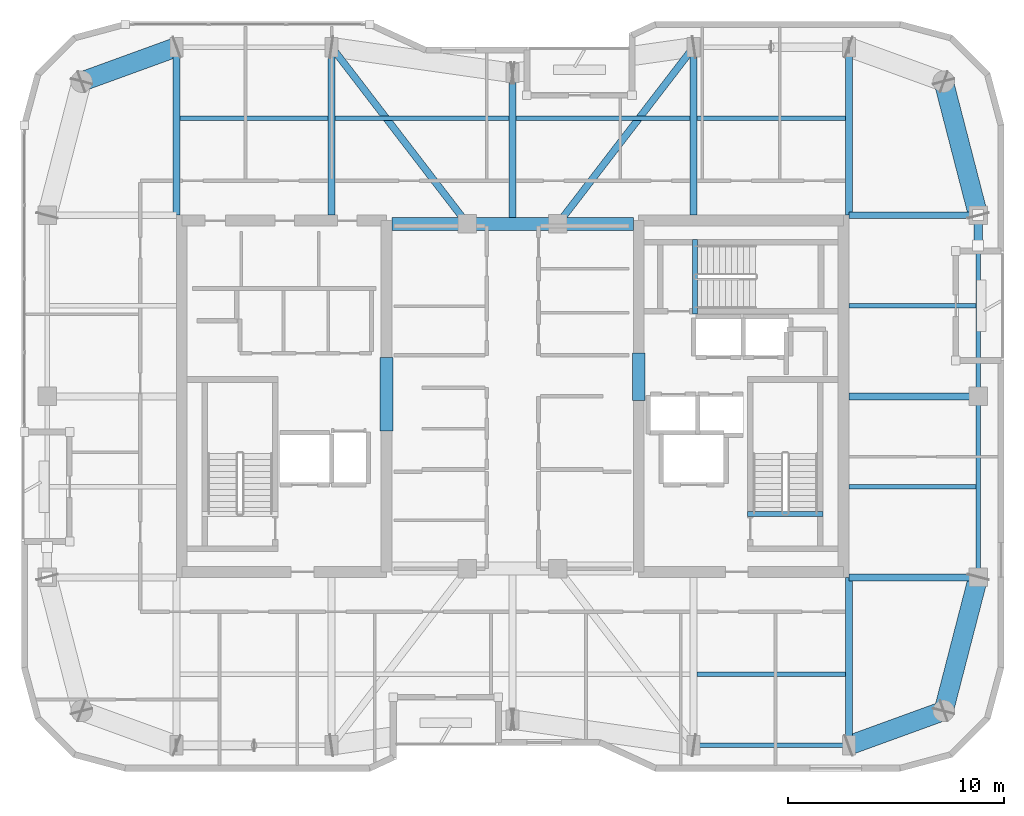
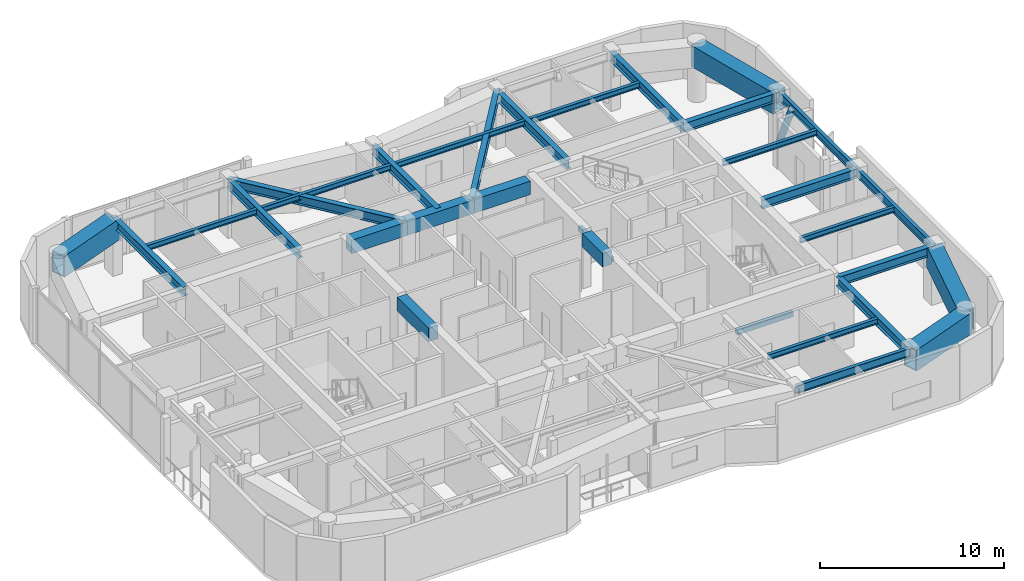
# One storey, part 5 of 16: 32 beams, 1 member.
"""IFC4 building model written with IfcOpenShell, lengths in metres."""

from ifc_helpers import new_model, si_unit, direction, frame, origin, origin_2d, place, context, subcontext, project, spatial, rectangle, hollow_rectangle, hollow_circle, i_section, extrude, material, material_profile, profile_set, type_object, element, save


model = new_model("IFC4")

# Units and contexts
model_context = context("Model", 3, precision=1e-05, world=origin(), true_north=direction((0.0, 1.0)))
body_context = subcontext(model_context, "Body", "Model", "MODEL_VIEW")
ifc_project = project(units=[si_unit("LENGTHUNIT", "METRE"), si_unit("AREAUNIT", "SQUARE_METRE"), si_unit("VOLUMEUNIT", "CUBIC_METRE"), si_unit("PLANEANGLEUNIT", "RADIAN"), si_unit("MASSUNIT", "GRAM", prefix="KILO")], contexts=[model_context])

# Site, building, storey
site_placement = place(None, origin())
site = spatial("IfcSite", under=ifc_project, at=site_placement, CompositionType="ELEMENT")
building_placement = place(site_placement, origin())
building = spatial("IfcBuilding", under=site, at=building_placement, Name="Kiyonajd Concourse Tower", CompositionType="ELEMENT")
storey_placement = place(building_placement, frame((0.0, 0.0, 302.39990234375)))
storey = spatial("IfcBuildingStorey", under=building, at=storey_placement, Name="L76", CompositionType="ELEMENT", Elevation=302.39990234375)

# Beams
ifc_material_1 = material(Name="Concrete C60/75", Category="concrete")
ifc_material_profile_1 = material_profile(ifc_material_1, rectangle(XDim=0.60009765625, YDim=0.89990234375, at=origin_2d()), Name="RCBM-600x900")
ifc_profile_set_1 = profile_set([ifc_material_profile_1], Name="Concrete C60/75")
beam_type_1 = type_object("IfcBeamType", Name="BM-COUP-900", PredefinedType="LINTEL", material=ifc_profile_set_1)
beam_1_placement = place(storey_placement, frame((42.39990234375, 44.0, 3.22998046875), z_axis=(1.0, 0.0, 0.0), x_axis=(0.0, 1.0, 0.0)))
element("IfcBeam", 1, at=beam_1_placement, inside=storey, type_object=beam_type_1, Name="L76 Core Coupling Beam N1", PredefinedType="LINTEL", context=body_context, shape_type="SweptSolid", body=[
    extrude(rectangle(XDim=0.60009765625, YDim=0.89990234375, at=origin_2d()), origin(), (0.0, 0.0, 1.0), 3.5),
])
beam_2_placement = place(storey_placement, frame((45.89990234375, 44.0, 3.22998046875), z_axis=(1.0, 0.0, 0.0), x_axis=(0.0, 1.0, 0.0)))
element("IfcBeam", 2, at=beam_2_placement, inside=storey, type_object=beam_type_1, Name="L76 Core Coupling Beam N2", PredefinedType="LINTEL", context=body_context, shape_type="SweptSolid", body=[
    extrude(rectangle(XDim=0.60009765625, YDim=0.89990234375, at=origin_2d()), origin(), (0.0, 0.0, 1.0), 4.2001953125),
])
beam_3_placement = place(storey_placement, frame((50.10009765625, 44.0, 3.22998046875), z_axis=(1.0, 0.0, 0.0), x_axis=(0.0, 1.0, 0.0)))
element("IfcBeam", 3, at=beam_3_placement, inside=storey, type_object=beam_type_1, Name="L76 Core Coupling Beam N3", PredefinedType="LINTEL", context=body_context, shape_type="SweptSolid", body=[
    extrude(rectangle(XDim=0.60009765625, YDim=0.89990234375, at=origin_2d()), origin(), (0.0, 0.0, 1.0), 3.5),
])
beam_4_placement = place(storey_placement, frame((42.14990234375, 34.39990234375, 3.22998046875), z_axis=(0.0, 1.0, 0.0), x_axis=(-1.0, 0.0, 0.0)))
element("IfcBeam", 4, at=beam_4_placement, inside=storey, type_object=beam_type_1, Name="L76 West Core Throat Coupling Lintel", PredefinedType="LINTEL", context=body_context, shape_type="SweptSolid", body=[
    extrude(rectangle(XDim=0.60009765625, YDim=0.89990234375, at=origin_2d()), origin(), (0.0, 0.0, 1.0), 3.400146484375),
])
beam_5_placement = place(storey_placement, frame((53.85009765625, 35.800048828125, 3.22998046875), z_axis=(0.0, 1.0, 0.0), x_axis=(-1.0, 0.0, 0.0)))
element("IfcBeam", 5, at=beam_5_placement, inside=storey, type_object=beam_type_1, Name="L76 East Core Throat Coupling Lintel", PredefinedType="LINTEL", context=body_context, shape_type="SweptSolid", body=[
    extrude(rectangle(XDim=0.60009765625, YDim=0.89990234375, at=origin_2d()), origin(), (0.0, 0.0, 1.0), 2.199951171875),
])
ifc_material_2 = material(Name="Steel ASTM A992 Grade 50", Category="steel")
ifc_material_profile_2 = material_profile(ifc_material_2, i_section(OverallWidth=0.205078125, OverallDepth=0.35400390625, WebThickness=0.009521484375, FlangeThickness=0.016845703125, at=origin_2d()), Name="W360X79")
ifc_profile_set_2 = profile_set([ifc_material_profile_2], Name="Steel ASTM A992 Grade 50")
beam_type_2 = type_object("IfcBeamType", Name="BM-JST-360", PredefinedType="JOIST", material=ifc_profile_set_2)
for number, where, z_axis, x_axis, name in (
    (6, (56.56201171875, 23.10009765625, 3.503173828125), (1.0, 0.0, 0.0), (0.0, 1.0, 0.0), "L76 Secondary Floor Joist"),
    (7, (32.56201171875, 48.89990234375, 3.503173828125), (1.0, 0.0, 0.0), (0.0, 1.0, 0.0), "L76 Secondary Floor Joist"),
):
    element("IfcBeam", number, at=place(storey_placement, frame(where, z_axis=z_axis, x_axis=x_axis)), inside=storey, type_object=beam_type_2, Name=name, PredefinedType="JOIST", context=body_context, shape_type="SweptSolid", body=[
        extrude(i_section(OverallWidth=0.205078125, OverallDepth=0.35400390625, WebThickness=0.009521484375, FlangeThickness=0.016845703125, at=origin_2d()), origin(), (0.0, 0.0, 1.0), 6.8759765625),
    ])
for number, where, z_axis, x_axis, name in (
    (8, (39.761962890625, 48.89990234375, 3.503173828125), (1.0, 0.0, 0.0), (0.0, 1.0, 0.0), "L76 Secondary Floor Joist"),
    (9, (48.162109375, 48.89990234375, 3.503173828125), (1.0, 0.0, 0.0), (0.0, 1.0, 0.0), "L76 Secondary Floor Joist"),
):
    element("IfcBeam", number, at=place(storey_placement, frame(where, z_axis=z_axis, x_axis=x_axis)), inside=storey, type_object=beam_type_2, Name=name, PredefinedType="JOIST", context=body_context, shape_type="SweptSolid", body=[
        extrude(i_section(OverallWidth=0.205078125, OverallDepth=0.35400390625, WebThickness=0.009521484375, FlangeThickness=0.016845703125, at=origin_2d()), origin(), (0.0, 0.0, 1.0), 8.075927734375),
    ])
beam_6_placement = place(storey_placement, frame((56.56201171875, 48.89990234375, 3.503173828125), z_axis=(1.0, 0.0, 0.0), x_axis=(0.0, 1.0, 0.0)))
element("IfcBeam", 10, at=beam_6_placement, inside=storey, type_object=beam_type_2, Name="L76 Secondary Floor Joist", PredefinedType="JOIST", context=body_context, shape_type="SweptSolid", body=[
    extrude(i_section(OverallWidth=0.205078125, OverallDepth=0.35400390625, WebThickness=0.009521484375, FlangeThickness=0.016845703125, at=origin_2d()), origin(), (0.0, 0.0, 1.0), 6.8759765625),
])
for number, where, z_axis, x_axis, name in (
    (11, (63.60009765625, 31.800048828125, 3.503173828125), (1.0, 0.0, 0.0), (0.0, 1.0, 0.0), "L76 East Secondary Floor Joist"),
    (12, (63.60009765625, 40.199951171875, 3.503173828125), (1.0, 0.0, 0.0), (0.0, 1.0, 0.0), "L76 East Secondary Floor Joist"),
):
    element("IfcBeam", number, at=place(storey_placement, frame(where, z_axis=z_axis, x_axis=x_axis)), inside=storey, type_object=beam_type_2, Name=name, PredefinedType="JOIST", context=body_context, shape_type="SweptSolid", body=[
        extrude(i_section(OverallWidth=0.205078125, OverallDepth=0.35400390625, WebThickness=0.009521484375, FlangeThickness=0.016845703125, at=origin_2d()), origin(), (0.0, 0.0, 1.0), 5.894287109375),
    ])
ifc_material_3 = material(Name="Concrete C50/60", Category="concrete")
ifc_material_profile_3 = material_profile(ifc_material_3, rectangle(XDim=0.239990234375, YDim=0.320068359375, at=origin_2d()), Name="RCBM-240x320")
ifc_profile_set_3 = profile_set([ifc_material_profile_3], Name="Concrete C50/60")
beam_type_3 = type_object("IfcBeamType", Name="BM-LNT-250", PredefinedType="LINTEL", material=ifc_profile_set_3)
beam_7_placement = place(storey_placement, frame((58.889892578125, 30.530029296875, -0.159912109375), z_axis=(1.0, 0.0, 0.0), x_axis=(0.0, 1.0, 0.0)))
element("IfcBeam", 13, at=beam_7_placement, inside=storey, type_object=beam_type_3, Name="L76 Stair ST2 Threshold Support Beam", PredefinedType="LINTEL", context=body_context, shape_type="SweptSolid", body=[
    extrude(rectangle(XDim=0.239990234375, YDim=0.320068359375, at=origin_2d()), origin(), (0.0, 0.0, 1.0), 3.52001953125),
])
beam_8_placement = place(storey_placement, frame((56.4599609375, 39.820068359375, -0.159912109375), z_axis=(0.0, 1.0, 0.0), x_axis=(-1.0, 0.0, 0.0)))
element("IfcBeam", 14, at=beam_8_placement, inside=storey, type_object=beam_type_3, Name="L76 Stair ST3 Threshold Support Beam", PredefinedType="LINTEL", context=body_context, shape_type="SweptSolid", body=[
    extrude(rectangle(XDim=0.239990234375, YDim=0.320068359375, at=origin_2d()), origin(), (0.0, 0.0, 1.0), 3.4599609375),
])
ifc_material_profile_4 = material_profile(ifc_material_2, i_section(OverallWidth=0.2109375, OverallDepth=0.5390625, WebThickness=0.01171875, FlangeThickness=0.018798828125, at=origin_2d()), Name="W530X109")
ifc_profile_set_4 = profile_set([ifc_material_profile_4], Name="Steel ASTM A992 Grade 50")
beam_type_4 = type_object("IfcBeamType", Name="BM-SPAN-530B", PredefinedType="SPANDREL", material=ifc_profile_set_4)
beam_9_placement = place(storey_placement, frame((56.39990234375, 19.800048828125, 3.41064453125), z_axis=(1.0, 0.0, 0.0), x_axis=(0.0, 1.0, 0.0)))
element("IfcBeam", 15, at=beam_9_placement, inside=storey, type_object=beam_type_4, Name="L76 Perimeter Bundled Tube Spandrel", PredefinedType="SPANDREL", context=body_context, shape_type="SweptSolid", body=[
    extrude(i_section(OverallWidth=0.2109375, OverallDepth=0.5390625, WebThickness=0.01171875, FlangeThickness=0.018798828125, at=origin_2d()), origin(), (0.0, 0.0, 1.0), 7.2001953125),
])
for number, where, z_axis, x_axis, name in (
    (16, (69.60009765625, 27.60009765625, 3.41064453125), (0.0, 1.0, 0.0), (-1.0, 0.0, 0.0), "L76 Perimeter Bundled Tube Spandrel"),
    (17, (69.60009765625, 36.0, 3.41064453125), (0.0, 1.0, 0.0), (-1.0, 0.0, 0.0), "L76 Perimeter Bundled Tube Spandrel"),
):
    element("IfcBeam", number, at=place(storey_placement, frame(where, z_axis=z_axis, x_axis=x_axis)), inside=storey, type_object=beam_type_4, Name=name, PredefinedType="SPANDREL", context=body_context, shape_type="SweptSolid", body=[
        extrude(i_section(OverallWidth=0.2109375, OverallDepth=0.5390625, WebThickness=0.01171875, FlangeThickness=0.018798828125, at=origin_2d()), origin(), (0.0, 0.0, 1.0), 8.39990234375),
    ])
ifc_material_profile_5 = material_profile(ifc_material_2, i_section(OverallWidth=0.326904296875, OverallDepth=0.6220703125, WebThickness=0.015380859375, FlangeThickness=0.0244140625, at=origin_2d()), Name="W610X195")
ifc_profile_set_5 = profile_set([ifc_material_profile_5], Name="Steel ASTM A992 Grade 50")
beam_type_5 = type_object("IfcBeamType", Name="BM-TWR-610A", PredefinedType="BEAM", material=ifc_profile_set_5)
for number, where, z_axis, x_axis, name in (
    (18, (39.60009765625, 52.199951171875, 3.369140625), (0.609233709922, -0.792990722956, 0.0), (0.792990722956, 0.609233709922, 0.0), "L76 Core Tie Girder"),
    (19, (50.10009765625, 44.0, 3.369140625), (0.609233709922, 0.792990722956, 0.0), (-0.792990722956, 0.609233709922, 0.0), "L76 Core Tie Girder"),
):
    element("IfcBeam", number, at=place(storey_placement, frame(where, z_axis=z_axis, x_axis=x_axis)), inside=storey, type_object=beam_type_5, Name=name, PredefinedType="BEAM", context=body_context, shape_type="SweptSolid", body=[
        extrude(i_section(OverallWidth=0.326904296875, OverallDepth=0.6220703125, WebThickness=0.015380859375, FlangeThickness=0.0244140625, at=origin_2d()), origin(), (0.0, 0.0, 1.0), 10.340576171875),
    ])
ifc_material_profile_6 = material_profile(ifc_material_2, i_section(OverallWidth=0.323974609375, OverallDepth=0.611083984375, WebThickness=0.0126953125, FlangeThickness=0.01904296875, at=origin_2d()), Name="W610X155")
ifc_profile_set_6 = profile_set([ifc_material_profile_6], Name="Steel ASTM A992 Grade 50")
beam_type_6 = type_object("IfcBeamType", Name="BM-TWR-610B", PredefinedType="BEAM", material=ifc_profile_set_6)
for number, where, z_axis, x_axis, name in (
    (20, (32.39990234375, 44.39990234375, 3.37451171875), (0.0, 1.0, 0.0), (-1.0, 0.0, 0.0), "L76 North Lease Girder"),
    (21, (39.60009765625, 44.39990234375, 3.37451171875), (0.0, 1.0, 0.0), (-1.0, 0.0, 0.0), "L76 North Lease Girder"),
    (22, (56.39990234375, 44.39990234375, 3.37451171875), (0.0, 1.0, 0.0), (-1.0, 0.0, 0.0), "L76 North Lease Girder"),
    (23, (63.60009765625, 19.800048828125, 3.37451171875), (0.0, 1.0, 0.0), (-1.0, 0.0, 0.0), "L76 South Lease Girder"),
    (24, (63.60009765625, 44.39990234375, 3.37451171875), (0.0, 1.0, 0.0), (-1.0, 0.0, 0.0), "L76 North Lease Girder"),
):
    element("IfcBeam", number, at=place(storey_placement, frame(where, z_axis=z_axis, x_axis=x_axis)), inside=storey, type_object=beam_type_6, Name=name, PredefinedType="BEAM", context=body_context, shape_type="SweptSolid", body=[
        extrude(i_section(OverallWidth=0.323974609375, OverallDepth=0.611083984375, WebThickness=0.0126953125, FlangeThickness=0.01904296875, at=origin_2d()), origin(), (0.0, 0.0, 1.0), 7.800048828125),
    ])
beam_10_placement = place(storey_placement, frame((48.0, 44.0, 3.37451171875), z_axis=(0.0, 1.0, 0.0), x_axis=(-1.0, 0.0, 0.0)))
element("IfcBeam", 25, at=beam_10_placement, inside=storey, type_object=beam_type_6, Name="L76 North Ribbon Girder", PredefinedType="BEAM", context=body_context, shape_type="SweptSolid", body=[
    extrude(i_section(OverallWidth=0.323974609375, OverallDepth=0.611083984375, WebThickness=0.0126953125, FlangeThickness=0.01904296875, at=origin_2d()), origin(), (0.0, 0.0, 1.0), 7.0),
])
for number, where, z_axis, x_axis, name in (
    (26, (63.60009765625, 27.60009765625, 3.37451171875), (1.0, 0.0, 0.0), (0.0, 1.0, 0.0), "L76 East Lease Girder"),
    (27, (63.60009765625, 36.0, 3.37451171875), (1.0, 0.0, 0.0), (0.0, 1.0, 0.0), "L76 East Lease Girder"),
    (28, (63.60009765625, 44.39990234375, 3.37451171875), (1.0, 0.0, 0.0), (0.0, 1.0, 0.0), "L76 East Lease Girder"),
):
    element("IfcBeam", number, at=place(storey_placement, frame(where, z_axis=z_axis, x_axis=x_axis)), inside=storey, type_object=beam_type_6, Name=name, PredefinedType="BEAM", context=body_context, shape_type="SweptSolid", body=[
        extrude(i_section(OverallWidth=0.323974609375, OverallDepth=0.611083984375, WebThickness=0.0126953125, FlangeThickness=0.01904296875, at=origin_2d()), origin(), (0.0, 0.0, 1.0), 6.0),
    ])
ifc_material_4 = material(Name="Steel ASTM A572 Grade 50", Category="steel")
ifc_material_profile_7 = material_profile(ifc_material_4, hollow_rectangle(XDim=0.89990234375, YDim=1.39990234375, WallThickness=0.070068359375, at=origin_2d()), Name="BOX-1400x900x70")
ifc_profile_set_7 = profile_set([ifc_material_profile_7], Name="Steel ASTM A572 Grade 50")
beam_type_7 = type_object("IfcBeamType", Name="BM-XFER-1400", PredefinedType="BEAM", material=ifc_profile_set_7)
beam_11_placement = place(storey_placement, frame((63.60009765625, 19.800048828125, 2.97998046875), z_axis=(0.939801036019, 0.341722127901, 0.0), x_axis=(-0.341722127901, 0.939801036019, 0.0)))
element("IfcBeam", 29, at=beam_11_placement, inside=storey, type_object=beam_type_7, Name="L76 Perimeter Bundled Tube Spandrel", PredefinedType="BEAM", context=body_context, shape_type="SweptSolid", body=[
    extrude(hollow_rectangle(XDim=0.89990234375, YDim=1.39990234375, WallThickness=0.070068359375, at=origin_2d()), origin(), (0.0, 0.0, 1.0), 4.681640625),
])
for number, where, z_axis, x_axis, name in (
    (30, (68.0, 21.39990234375, 2.97998046875), (0.249884937687, 0.968275538221, 0.0), (-0.968275538221, 0.249884937687, 0.0), "L76 Perimeter Bundled Tube Spandrel"),
    (31, (69.60009765625, 44.39990234375, 2.97998046875), (-0.249884937687, 0.968275538221, 0.0), (-0.968275538221, -0.249884937687, 0.0), "L76 Perimeter Bundled Tube Spandrel"),
):
    element("IfcBeam", number, at=place(storey_placement, frame(where, z_axis=z_axis, x_axis=x_axis)), inside=storey, type_object=beam_type_7, Name=name, PredefinedType="BEAM", context=body_context, shape_type="SweptSolid", body=[
        extrude(hollow_rectangle(XDim=0.89990234375, YDim=1.39990234375, WallThickness=0.070068359375, at=origin_2d()), origin(), (0.0, 0.0, 1.0), 6.4033203125),
    ])
beam_12_placement = place(storey_placement, frame((32.39990234375, 52.199951171875, 2.97998046875), z_axis=(-0.939801036019, -0.341722127901, 0.0), x_axis=(0.341722127901, -0.939801036019, 0.0)))
element("IfcBeam", 32, at=beam_12_placement, inside=storey, type_object=beam_type_7, Name="L76 Perimeter Bundled Tube Spandrel", PredefinedType="BEAM", context=body_context, shape_type="SweptSolid", body=[
    extrude(hollow_rectangle(XDim=0.89990234375, YDim=1.39990234375, WallThickness=0.070068359375, at=origin_2d()), origin(), (0.0, 0.0, 1.0), 4.681640625),
])

# Member
ifc_material_5 = material(Name="Steel ASTM A500 Grade C", Category="steel")
ifc_material_profile_8 = material_profile(ifc_material_5, hollow_circle(Radius=0.202880859375, WallThickness=0.01904296875, at=origin_2d()), Name="CHS-406x19")
ifc_profile_set_8 = profile_set([ifc_material_profile_8], Name="Steel ASTM A500 Grade C")
member_type = type_object("IfcMemberType", Name="MB-PB-HIGH", PredefinedType="BRACE", material=ifc_profile_set_8)
member_placement = place(storey_placement, frame((69.60009765625, 44.39990234375, 0.300048828125), z_axis=(0.0, -0.419410666774, 0.907796614114), x_axis=(1.0, 0.0, 0.0)))
element("IfcMember", 33, at=member_placement, inside=storey, type_object=member_type, Name="L76 Upper Zone Hollow Tube Brace PBE", PredefinedType="BRACE", context=body_context, shape_type="SweptSolid", body=[
    extrude(hollow_circle(Radius=0.202880859375, WallThickness=0.01904296875, at=origin_2d()), origin(), (0.0, 0.0, 1.0), 3.337890625),
])

save(model, "model.ifc")
